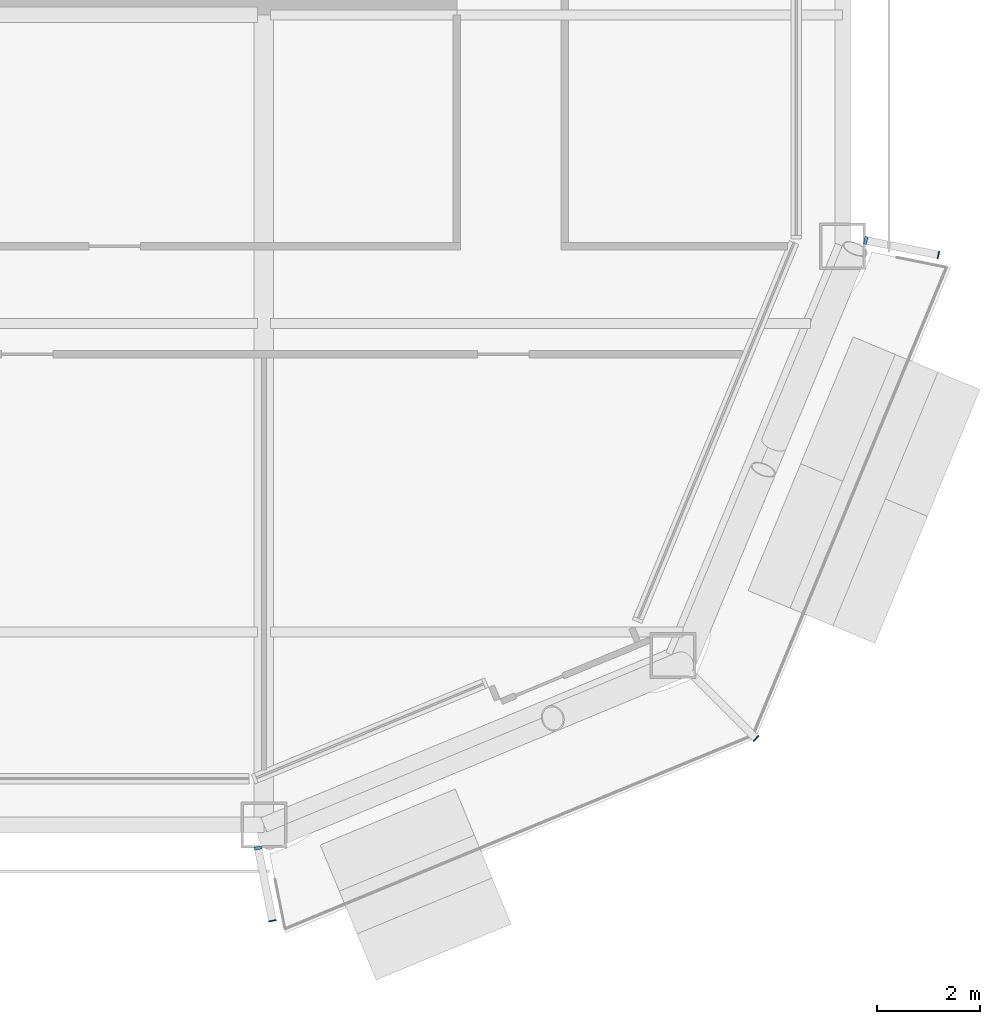
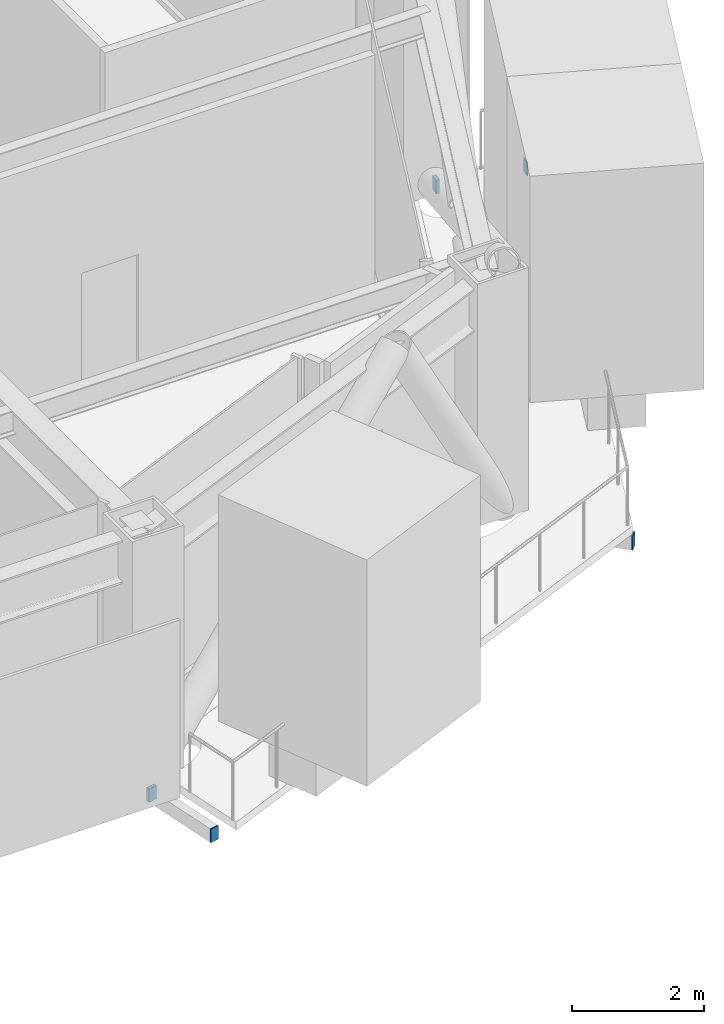
# One storey, part 16 of 23: 5 discrete accessories.
"""IFC4 building model written with IfcOpenShell, lengths in metres."""

from ifc_helpers import new_model, si_unit, direction, frame, origin, origin_2d, place, context, subcontext, project, spatial, rectangle, extrude, material, layer, layer_set, type_object, element, save


model = new_model("IFC4")

# Units and contexts
model_context = context("Model", 3, precision=1e-05, world=origin(), true_north=direction((0.0, 1.0)))
body_context = subcontext(model_context, "Body", "Model", "MODEL_VIEW")
ifc_project = project(units=[si_unit("LENGTHUNIT", "METRE"), si_unit("AREAUNIT", "SQUARE_METRE"), si_unit("VOLUMEUNIT", "CUBIC_METRE"), si_unit("PLANEANGLEUNIT", "RADIAN"), si_unit("MASSUNIT", "GRAM", prefix="KILO")], contexts=[model_context])

# Site, building, storey
site_placement = place(None, origin())
site = spatial("IfcSite", under=ifc_project, at=site_placement, CompositionType="ELEMENT")
building_placement = place(site_placement, origin())
building = spatial("IfcBuilding", under=site, at=building_placement, Name="Siwar Civic Tower", CompositionType="ELEMENT")
storey_placement = place(building_placement, frame((0.0, 0.0, 163.199951171875)))
storey = spatial("IfcBuildingStorey", under=building, at=storey_placement, Name="L35", CompositionType="ELEMENT", Elevation=163.199951171875)

# Discrete accessories
ifc_material_1 = material(Name="Stainless steel 316", Category="steel")
discrete_accessory_type_1 = type_object("IfcDiscreteAccessoryType", Name="ENV-BRACKET", PredefinedType="BRACKET", material=ifc_material_1)
for number, where, z_axis, x_axis, name in (
    (1, (17.885498046875, -29.699951171875, -0.39990234375), (0.0, 0.0, 1.0), (0.195090322016, -0.980785280403, 0.0), "Bracket balcony cantilever beam SE 1"),
    (2, (29.699951171875, -17.885498046875, -0.39990234375), (0.0, 0.0, 1.0), (0.980785280403, -0.195090322016, 0.0), "Bracket balcony cantilever beam SE 3"),
):
    element("IfcDiscreteAccessory", number, at=place(storey_placement, frame(where, z_axis=z_axis, x_axis=x_axis)), inside=storey, type_object=discrete_accessory_type_1, Name=name, PredefinedType="BRACKET", context=body_context, shape_type="SweptSolid", body=[
        extrude(rectangle(XDim=0.06005859375, YDim=0.14990234375, at=origin_2d()), origin(), (0.0, 0.0, 1.0), 0.25),
    ])
ifc_material_2 = material(Name="Steel S355", Category="steel")
ifc_layer = layer(ifc_material_2, 0.02001953125)
ifc_layer_set = layer_set([ifc_layer], Name="Steel S355")
discrete_accessory_type_2 = type_object("IfcDiscreteAccessoryType", Name="STR-END-CAP", PredefinedType="USERDEFINED", material=ifc_layer_set)
for number, where, z_axis, x_axis, name in (
    (3, (18.1669921875, -31.114501953125, -0.39990234375), (0.0, 0.0, 1.0), (0.195090321965, -0.980785280413, 0.0), "End cap plate Balcony cantilever beam SE 1"),
    (4, (27.5693359375, -27.5693359375, -0.39990234375), (0.0, 0.0, 1.0), (0.707106781187, -0.707106781187, 0.0), "End cap plate Balcony cantilever beam SE 2"),
    (5, (31.114501953125, -18.1669921875, -0.39990234375), (0.0, 0.0, 1.0), (0.980785280413, -0.195090321965, 0.0), "End cap plate Balcony cantilever beam SE 3"),
):
    element("IfcDiscreteAccessory", number, at=place(storey_placement, frame(where, z_axis=z_axis, x_axis=x_axis)), inside=storey, type_object=discrete_accessory_type_2, Name=name, ObjectType="END CAP PLATE", PredefinedType="USERDEFINED", context=body_context, shape_type="SweptSolid", body=[
        extrude(rectangle(XDim=0.02001953125, YDim=0.14990234375, at=origin_2d()), origin(), (0.0, 0.0, 1.0), 0.25),
    ])

save(model, "model.ifc")
